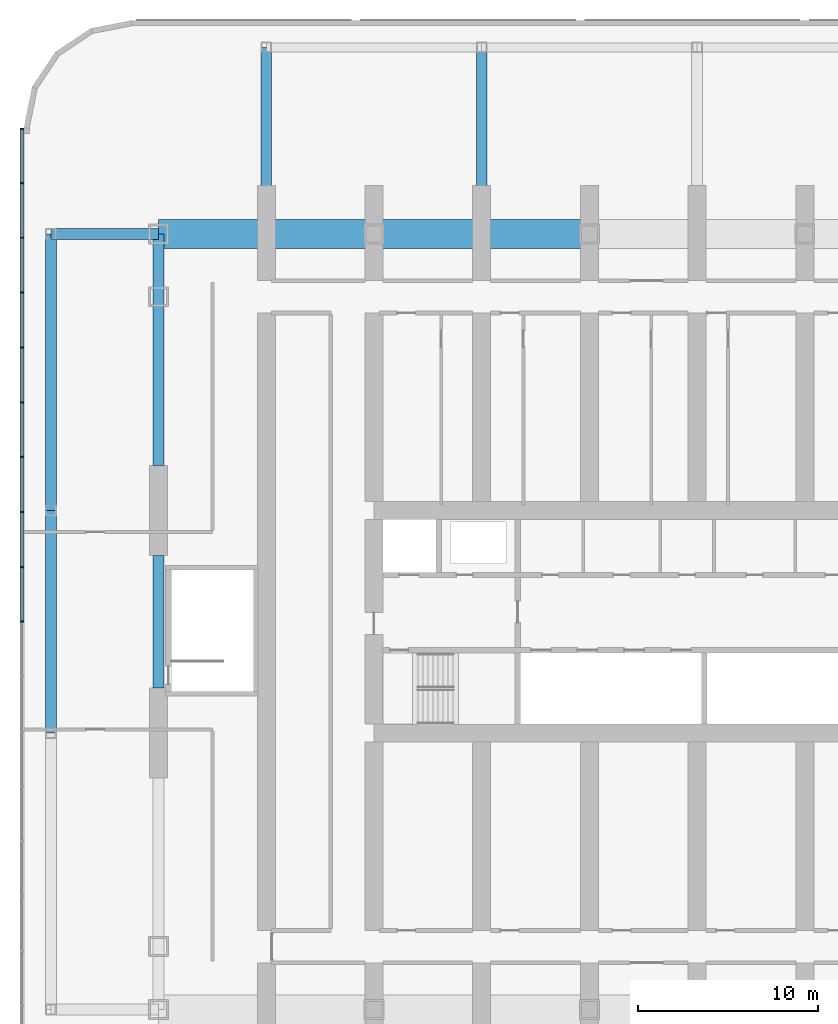
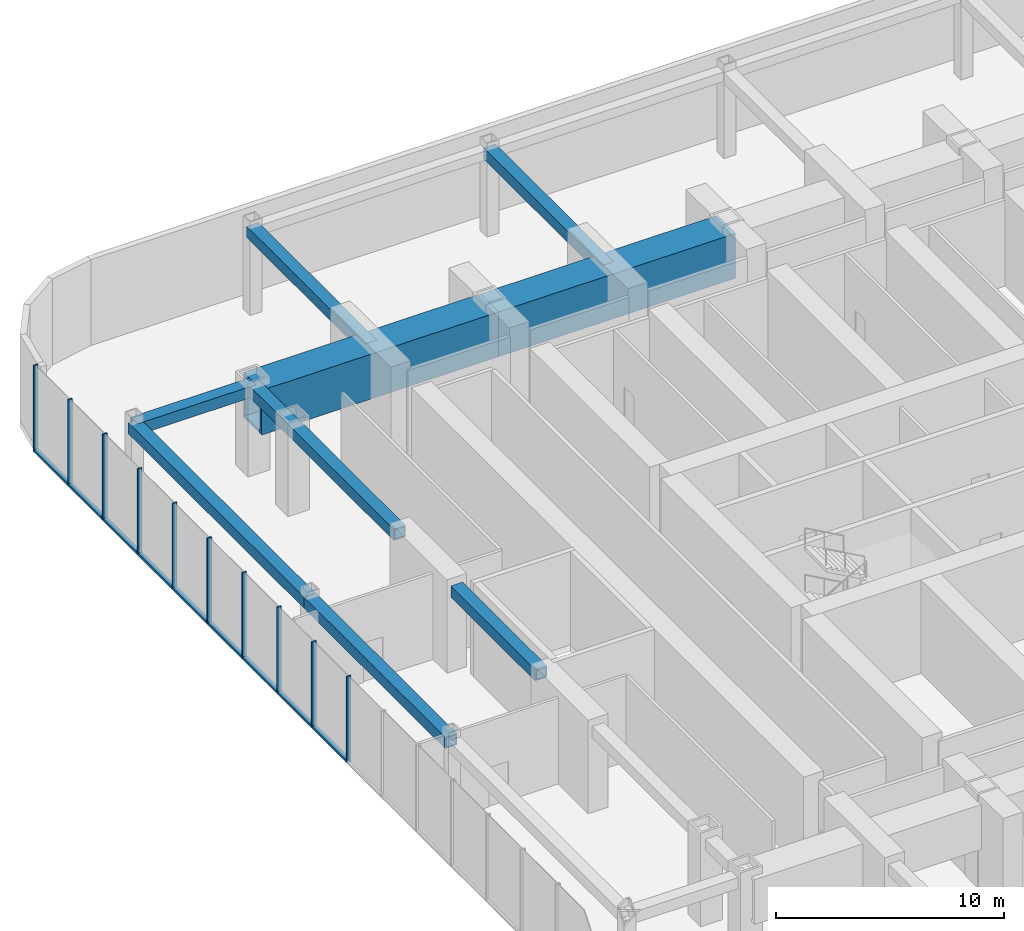
# One storey, part 6 of 26: 19 members, 9 beams, 1 element without a shape of its own.
"""IFC4 building model written with IfcOpenShell, lengths in metres."""

from ifc_helpers import new_model, si_unit, direction, frame, origin, origin_2d, place, context, subcontext, project, spatial, rectangle, hollow_rectangle, extrude, material, material_profile, profile_set, type_object, element, aggregate, save


model = new_model("IFC4")

# Units and contexts
model_context = context("Model", 3, precision=1e-05, world=origin(), true_north=direction((0.0, 1.0)))
body_context = subcontext(model_context, "Body", "Model", "MODEL_VIEW")
ifc_project = project(units=[si_unit("LENGTHUNIT", "METRE"), si_unit("AREAUNIT", "SQUARE_METRE"), si_unit("VOLUMEUNIT", "CUBIC_METRE"), si_unit("PLANEANGLEUNIT", "RADIAN"), si_unit("MASSUNIT", "GRAM", prefix="KILO")], contexts=[model_context])

# Site, building, storey
site_placement = place(None, origin())
site = spatial("IfcSite", under=ifc_project, at=site_placement, CompositionType="ELEMENT")
building_placement = place(site_placement, origin())
building = spatial("IfcBuilding", under=site, at=building_placement, Name="Orbita Commons", CompositionType="ELEMENT")
storey_placement = place(building_placement, frame((0.0, 0.0, 11.0)))
storey = spatial("IfcBuildingStorey", under=building, at=storey_placement, Name="L02", CompositionType="ELEMENT", Elevation=11.0)

# Curtain wall, members
ifc_material_1 = material(Name="Anodised aluminium frame, pale silver", Category="aluminium")
curtain_wall_type = type_object("IfcCurtainWallType", Name="Podium storefront curtain wall CW-P", PredefinedType="NOTDEFINED", material=ifc_material_1)
curtain_wall_placement = place(storey_placement, origin())
curtain_wall = element("IfcCurtainWall", 1, at=curtain_wall_placement, inside=storey, type_object=curtain_wall_type, Name="Curtain wall W 1 L02", PredefinedType="NOTDEFINED")
ifc_material_2 = material(Name="Anodised aluminium, pale silver", Category="aluminium")
ifc_material_profile_1 = material_profile(ifc_material_2, rectangle(XDim=0.080078125, YDim=0.219970703125, at=origin_2d()), Name="AL 80x220")
ifc_profile_set_1 = profile_set([ifc_material_profile_1], Name="Anodised aluminium, pale silver")
member_type_1 = type_object("IfcMemberType", Name="Curtain wall mullion 80x220", PredefinedType="MULLION", material=ifc_profile_set_1)
member_1_placement = place(storey_placement, frame((-1.610107421875, 59.4599609375, 0.0), z_axis=(0.0, 0.0, 1.0), x_axis=(0.0, -1.0, 0.0)))
member_1 = element("IfcMember", 2, at=member_1_placement, type_object=member_type_1, Name="Mullion 1 CW-L02-W0", PredefinedType="MULLION", context=body_context, shape_type="SweptSolid", body=[
    extrude(rectangle(XDim=0.080078125, YDim=0.219970703125, at=origin_2d()), origin(), (0.0, 0.0, 1.0), 4.60009765625),
])
member_2_placement = place(storey_placement, frame((-1.610107421875, 56.4443359375, 0.0), z_axis=(0.0, 0.0, 1.0), x_axis=(0.0, -1.0, 0.0)))
member_2 = element("IfcMember", 3, at=member_2_placement, type_object=member_type_1, Name="Mullion 2 CW-L02-W0", PredefinedType="MULLION", context=body_context, shape_type="SweptSolid", body=[
    extrude(rectangle(XDim=0.080078125, YDim=0.219970703125, at=origin_2d()), origin(), (0.0, 0.0, 1.0), 4.60009765625),
])
member_3_placement = place(storey_placement, frame((-1.610107421875, 53.388916015625, 0.0), z_axis=(0.0, 0.0, 1.0), x_axis=(0.0, -1.0, 0.0)))
member_3 = element("IfcMember", 4, at=member_3_placement, type_object=member_type_1, Name="Mullion 3 CW-L02-W0", PredefinedType="MULLION", context=body_context, shape_type="SweptSolid", body=[
    extrude(rectangle(XDim=0.080078125, YDim=0.219970703125, at=origin_2d()), origin(), (0.0, 0.0, 1.0), 4.60009765625),
])
member_4_placement = place(storey_placement, frame((-1.610107421875, 50.333251953125, 0.0), z_axis=(0.0, 0.0, 1.0), x_axis=(0.0, -1.0, 0.0)))
member_4 = element("IfcMember", 5, at=member_4_placement, type_object=member_type_1, Name="Mullion 4 CW-L02-W0", PredefinedType="MULLION", context=body_context, shape_type="SweptSolid", body=[
    extrude(rectangle(XDim=0.080078125, YDim=0.219970703125, at=origin_2d()), origin(), (0.0, 0.0, 1.0), 4.60009765625),
])
member_5_placement = place(storey_placement, frame((-1.610107421875, 47.27783203125, 0.0), z_axis=(0.0, 0.0, 1.0), x_axis=(0.0, -1.0, 0.0)))
member_5 = element("IfcMember", 6, at=member_5_placement, type_object=member_type_1, Name="Mullion 5 CW-L02-W0", PredefinedType="MULLION", context=body_context, shape_type="SweptSolid", body=[
    extrude(rectangle(XDim=0.080078125, YDim=0.219970703125, at=origin_2d()), origin(), (0.0, 0.0, 1.0), 4.60009765625),
])
member_6_placement = place(storey_placement, frame((-1.610107421875, 44.22216796875, 0.0), z_axis=(0.0, 0.0, 1.0), x_axis=(0.0, -1.0, 0.0)))
member_6 = element("IfcMember", 7, at=member_6_placement, type_object=member_type_1, Name="Mullion 6 CW-L02-W0", PredefinedType="MULLION", context=body_context, shape_type="SweptSolid", body=[
    extrude(rectangle(XDim=0.080078125, YDim=0.219970703125, at=origin_2d()), origin(), (0.0, 0.0, 1.0), 4.60009765625),
])
member_7_placement = place(storey_placement, frame((-1.610107421875, 41.166748046875, 0.0), z_axis=(0.0, 0.0, 1.0), x_axis=(0.0, -1.0, 0.0)))
member_7 = element("IfcMember", 8, at=member_7_placement, type_object=member_type_1, Name="Mullion 7 CW-L02-W0", PredefinedType="MULLION", context=body_context, shape_type="SweptSolid", body=[
    extrude(rectangle(XDim=0.080078125, YDim=0.219970703125, at=origin_2d()), origin(), (0.0, 0.0, 1.0), 4.60009765625),
])
member_8_placement = place(storey_placement, frame((-1.610107421875, 38.111083984375, 0.0), z_axis=(0.0, 0.0, 1.0), x_axis=(0.0, -1.0, 0.0)))
member_8 = element("IfcMember", 9, at=member_8_placement, type_object=member_type_1, Name="Mullion 8 CW-L02-W0", PredefinedType="MULLION", context=body_context, shape_type="SweptSolid", body=[
    extrude(rectangle(XDim=0.080078125, YDim=0.219970703125, at=origin_2d()), origin(), (0.0, 0.0, 1.0), 4.60009765625),
])
member_9_placement = place(storey_placement, frame((-1.610107421875, 35.0556640625, 0.0), z_axis=(0.0, 0.0, 1.0), x_axis=(0.0, -1.0, 0.0)))
member_9 = element("IfcMember", 10, at=member_9_placement, type_object=member_type_1, Name="Mullion 9 CW-L02-W0", PredefinedType="MULLION", context=body_context, shape_type="SweptSolid", body=[
    extrude(rectangle(XDim=0.080078125, YDim=0.219970703125, at=origin_2d()), origin(), (0.0, 0.0, 1.0), 4.60009765625),
])
member_10_placement = place(storey_placement, frame((-1.610107421875, 32.0, 0.0), z_axis=(0.0, 0.0, 1.0), x_axis=(0.0, -1.0, 0.0)))
member_10 = element("IfcMember", 11, at=member_10_placement, type_object=member_type_1, Name="Mullion 10 CW-L02-W0", PredefinedType="MULLION", context=body_context, shape_type="SweptSolid", body=[
    extrude(rectangle(XDim=0.080078125, YDim=0.219970703125, at=origin_2d()), origin(), (0.0, 0.0, 1.0), 4.60009765625),
])
ifc_material_3 = material(Name="Anodised aluminium, pale silver", Category="aluminium")
ifc_material_profile_2 = material_profile(ifc_material_3, rectangle(XDim=0.219970703125, YDim=0.10009765625, at=origin_2d()), Name="AL 220x100")
ifc_profile_set_2 = profile_set([ifc_material_profile_2], Name="Anodised aluminium, pale silver")
member_type_2 = type_object("IfcMemberType", Name="Curtain wall stack transom 220x100", PredefinedType="USERDEFINED", material=ifc_profile_set_2)
member_11_placement = place(storey_placement, frame((-1.610107421875, 59.419921875, 0.050048828125), z_axis=(0.0, -1.0, 0.0), x_axis=(1.0, 0.0, 0.0)))
member_11 = element("IfcMember", 12, at=member_11_placement, type_object=member_type_2, Name="Transom 1.1 CW-L02-W0", ObjectType="TRANSOM", PredefinedType="USERDEFINED", context=body_context, shape_type="SweptSolid", body=[
    extrude(rectangle(XDim=0.219970703125, YDim=0.10009765625, at=origin_2d()), origin(), (0.0, 0.0, 1.0), 2.935546875),
])
member_12_placement = place(storey_placement, frame((-1.610107421875, 56.404541015625, 0.050048828125), z_axis=(0.0, -1.0, 0.0), x_axis=(1.0, 0.0, 0.0)))
member_12 = element("IfcMember", 13, at=member_12_placement, type_object=member_type_2, Name="Transom 2.1 CW-L02-W0", ObjectType="TRANSOM", PredefinedType="USERDEFINED", context=body_context, shape_type="SweptSolid", body=[
    extrude(rectangle(XDim=0.219970703125, YDim=0.10009765625, at=origin_2d()), origin(), (0.0, 0.0, 1.0), 2.9755859375),
])
member_13_placement = place(storey_placement, frame((-1.610107421875, 53.348876953125, 0.050048828125), z_axis=(0.0, -1.0, 0.0), x_axis=(1.0, 0.0, 0.0)))
member_13 = element("IfcMember", 14, at=member_13_placement, type_object=member_type_2, Name="Transom 3.1 CW-L02-W0", ObjectType="TRANSOM", PredefinedType="USERDEFINED", context=body_context, shape_type="SweptSolid", body=[
    extrude(rectangle(XDim=0.219970703125, YDim=0.10009765625, at=origin_2d()), origin(), (0.0, 0.0, 1.0), 2.9755859375),
])
member_14_placement = place(storey_placement, frame((-1.610107421875, 50.293212890625, 0.050048828125), z_axis=(0.0, -1.0, 0.0), x_axis=(1.0, 0.0, 0.0)))
member_14 = element("IfcMember", 15, at=member_14_placement, type_object=member_type_2, Name="Transom 4.1 CW-L02-W0", ObjectType="TRANSOM", PredefinedType="USERDEFINED", context=body_context, shape_type="SweptSolid", body=[
    extrude(rectangle(XDim=0.219970703125, YDim=0.10009765625, at=origin_2d()), origin(), (0.0, 0.0, 1.0), 2.975341796875),
])
member_15_placement = place(storey_placement, frame((-1.610107421875, 47.23779296875, 0.050048828125), z_axis=(0.0, -1.0, 0.0), x_axis=(1.0, 0.0, 0.0)))
member_15 = element("IfcMember", 16, at=member_15_placement, type_object=member_type_2, Name="Transom 5.1 CW-L02-W0", ObjectType="TRANSOM", PredefinedType="USERDEFINED", context=body_context, shape_type="SweptSolid", body=[
    extrude(rectangle(XDim=0.219970703125, YDim=0.10009765625, at=origin_2d()), origin(), (0.0, 0.0, 1.0), 2.9755859375),
])
member_16_placement = place(storey_placement, frame((-1.610107421875, 44.18212890625, 0.050048828125), z_axis=(0.0, -1.0, 0.0), x_axis=(1.0, 0.0, 0.0)))
member_16 = element("IfcMember", 17, at=member_16_placement, type_object=member_type_2, Name="Transom 6.1 CW-L02-W0", ObjectType="TRANSOM", PredefinedType="USERDEFINED", context=body_context, shape_type="SweptSolid", body=[
    extrude(rectangle(XDim=0.219970703125, YDim=0.10009765625, at=origin_2d()), origin(), (0.0, 0.0, 1.0), 2.975341796875),
])
member_17_placement = place(storey_placement, frame((-1.610107421875, 41.126708984375, 0.050048828125), z_axis=(0.0, -1.0, 0.0), x_axis=(1.0, 0.0, 0.0)))
member_17 = element("IfcMember", 18, at=member_17_placement, type_object=member_type_2, Name="Transom 7.1 CW-L02-W0", ObjectType="TRANSOM", PredefinedType="USERDEFINED", context=body_context, shape_type="SweptSolid", body=[
    extrude(rectangle(XDim=0.219970703125, YDim=0.10009765625, at=origin_2d()), origin(), (0.0, 0.0, 1.0), 2.9755859375),
])
member_18_placement = place(storey_placement, frame((-1.610107421875, 38.071044921875, 0.050048828125), z_axis=(0.0, -1.0, 0.0), x_axis=(1.0, 0.0, 0.0)))
member_18 = element("IfcMember", 19, at=member_18_placement, type_object=member_type_2, Name="Transom 8.1 CW-L02-W0", ObjectType="TRANSOM", PredefinedType="USERDEFINED", context=body_context, shape_type="SweptSolid", body=[
    extrude(rectangle(XDim=0.219970703125, YDim=0.10009765625, at=origin_2d()), origin(), (0.0, 0.0, 1.0), 2.9755859375),
])
member_19_placement = place(storey_placement, frame((-1.610107421875, 35.015625, 0.050048828125), z_axis=(0.0, -1.0, 0.0), x_axis=(1.0, 0.0, 0.0)))
member_19 = element("IfcMember", 20, at=member_19_placement, type_object=member_type_2, Name="Transom 9.1 CW-L02-W0", ObjectType="TRANSOM", PredefinedType="USERDEFINED", context=body_context, shape_type="SweptSolid", body=[
    extrude(rectangle(XDim=0.219970703125, YDim=0.10009765625, at=origin_2d()), origin(), (0.0, 0.0, 1.0), 2.9755859375),
])
aggregate(curtain_wall, [member_1, member_2, member_3, member_4, member_5, member_6, member_7, member_8, member_9, member_10, member_11, member_12, member_13, member_14, member_15, member_16, member_17, member_18, member_19])

# Beams
ifc_material_4 = material(Name="Steel ASTM A572 Gr 50 welded plate", Category="steel")
ifc_material_profile_3 = material_profile(ifc_material_4, hollow_rectangle(XDim=0.60009765625, YDim=0.60009765625, WallThickness=0.06005859375, at=origin_2d()), Name="BOX 600x600x60")
ifc_profile_set_3 = profile_set([ifc_material_profile_3], Name="Steel ASTM A572 Gr 50 welded plate")
beam_type_1 = type_object("IfcBeamType", Name="Steel podium beam BOX 600x600x60", PredefinedType="BEAM", material=ifc_profile_set_3)
for number, where, z_axis, x_axis, name in (
    (21, (12.0, 53.60009765625, 4.300048828125), (0.0, 1.0, 0.0), (-1.0, 0.0, 0.0), "Podium beam 3 E-F L02"),
    (22, (24.0, 53.60009765625, 4.300048828125), (0.0, 1.0, 0.0), (-1.0, 0.0, 0.0), "Podium beam 5 E-F L02"),
):
    element("IfcBeam", number, at=place(storey_placement, frame(where, z_axis=z_axis, x_axis=x_axis)), inside=storey, type_object=beam_type_1, Name=name, PredefinedType="BEAM", context=body_context, shape_type="SweptSolid", body=[
        extrude(hollow_rectangle(XDim=0.60009765625, YDim=0.60009765625, WallThickness=0.06005859375, at=origin_2d()), origin(), (0.0, 0.0, 1.0), 10.39990234375),
    ])
beam_1_placement = place(storey_placement, frame((0.0, 53.60009765625, 4.300048828125), z_axis=(1.0, 0.0, 0.0), x_axis=(0.0, 1.0, 0.0)))
element("IfcBeam", 23, at=beam_1_placement, inside=storey, type_object=beam_type_1, Name="Podium beam E 1-2 L02", PredefinedType="BEAM", context=body_context, shape_type="SweptSolid", body=[
    extrude(hollow_rectangle(XDim=0.60009765625, YDim=0.60009765625, WallThickness=0.06005859375, at=origin_2d()), origin(), (0.0, 0.0, 1.0), 6.0),
])
beam_2_placement = place(storey_placement, frame((0.0, 25.800048828125, 4.300048828125), z_axis=(0.0, 1.0, 0.0), x_axis=(-1.0, 0.0, 0.0)))
element("IfcBeam", 24, at=beam_2_placement, inside=storey, type_object=beam_type_1, Name="Podium beam 1 C-D L02", PredefinedType="BEAM", context=body_context, shape_type="SweptSolid", body=[
    extrude(hollow_rectangle(XDim=0.60009765625, YDim=0.60009765625, WallThickness=0.06005859375, at=origin_2d()), origin(), (0.0, 0.0, 1.0), 12.39990234375),
])
beam_3_placement = place(storey_placement, frame((0.0, 38.199951171875, 4.300048828125), z_axis=(0.0, 1.0, 0.0), x_axis=(-1.0, 0.0, 0.0)))
element("IfcBeam", 25, at=beam_3_placement, inside=storey, type_object=beam_type_1, Name="Podium beam 1 D-E L02", PredefinedType="BEAM", context=body_context, shape_type="SweptSolid", body=[
    extrude(hollow_rectangle(XDim=0.60009765625, YDim=0.60009765625, WallThickness=0.06005859375, at=origin_2d()), origin(), (0.0, 0.0, 1.0), 15.400146484375),
])
beam_4_placement = place(storey_placement, frame((6.0, 28.300048828125, 4.300048828125), z_axis=(0.0, 1.0, 0.0), x_axis=(-1.0, 0.0, 0.0)))
element("IfcBeam", 26, at=beam_4_placement, inside=storey, type_object=beam_type_1, Name="Podium beam 2 C-D L02", PredefinedType="BEAM", context=body_context, shape_type="SweptSolid", body=[
    extrude(hollow_rectangle(XDim=0.60009765625, YDim=0.60009765625, WallThickness=0.06005859375, at=origin_2d()), origin(), (0.0, 0.0, 1.0), 7.39990234375),
])
beam_5_placement = place(storey_placement, frame((6.0, 40.699951171875, 4.300048828125), z_axis=(0.0, 1.0, 0.0), x_axis=(-1.0, 0.0, 0.0)))
element("IfcBeam", 27, at=beam_5_placement, inside=storey, type_object=beam_type_1, Name="Podium beam 2 D-E L02", PredefinedType="BEAM", context=body_context, shape_type="SweptSolid", body=[
    extrude(hollow_rectangle(XDim=0.60009765625, YDim=0.60009765625, WallThickness=0.06005859375, at=origin_2d()), origin(), (0.0, 0.0, 1.0), 12.900146484375),
])
ifc_material_5 = material(Name="Steel ASTM A572 Gr 42 welded plate", Category="steel")
ifc_material_profile_4 = material_profile(ifc_material_5, hollow_rectangle(XDim=1.60009765625, YDim=2.39990234375, WallThickness=0.14990234375, at=origin_2d()), Name="BOX 2400x1600x150")
ifc_profile_set_4 = profile_set([ifc_material_profile_4], Name="Steel ASTM A572 Gr 42 welded plate")
beam_type_2 = type_object("IfcBeamType", Name="Steel transfer girder BOX 2400x1600x150", PredefinedType="BEAM", material=ifc_profile_set_4)
for number, where, z_axis, x_axis, name in (
    (28, (6.0, 53.60009765625, 3.39990234375), (1.0, 0.0, 0.0), (0.0, 1.0, 0.0), "Transfer girder E 2-4"),
    (29, (18.0, 53.60009765625, 3.39990234375), (1.0, 0.0, 0.0), (0.0, 1.0, 0.0), "Transfer girder E 4-6"),
):
    element("IfcBeam", number, at=place(storey_placement, frame(where, z_axis=z_axis, x_axis=x_axis)), inside=storey, type_object=beam_type_2, Name=name, PredefinedType="BEAM", context=body_context, shape_type="SweptSolid", body=[
        extrude(hollow_rectangle(XDim=1.60009765625, YDim=2.39990234375, WallThickness=0.14990234375, at=origin_2d()), origin(), (0.0, 0.0, 1.0), 12.0),
    ])

save(model, "model.ifc")
